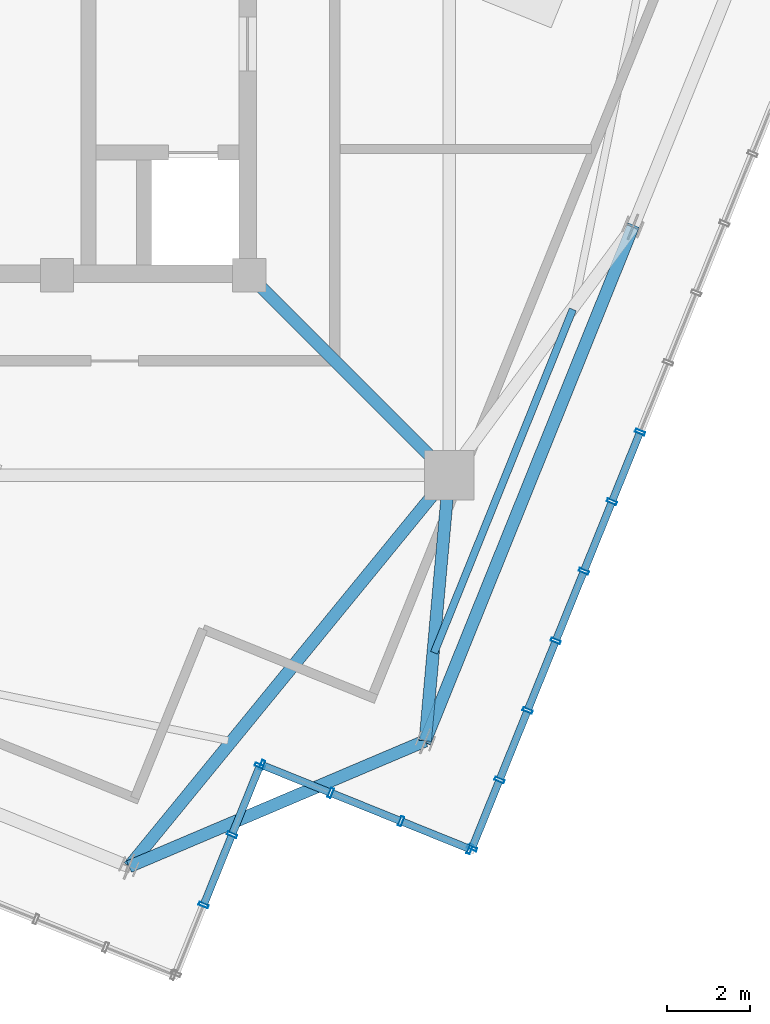
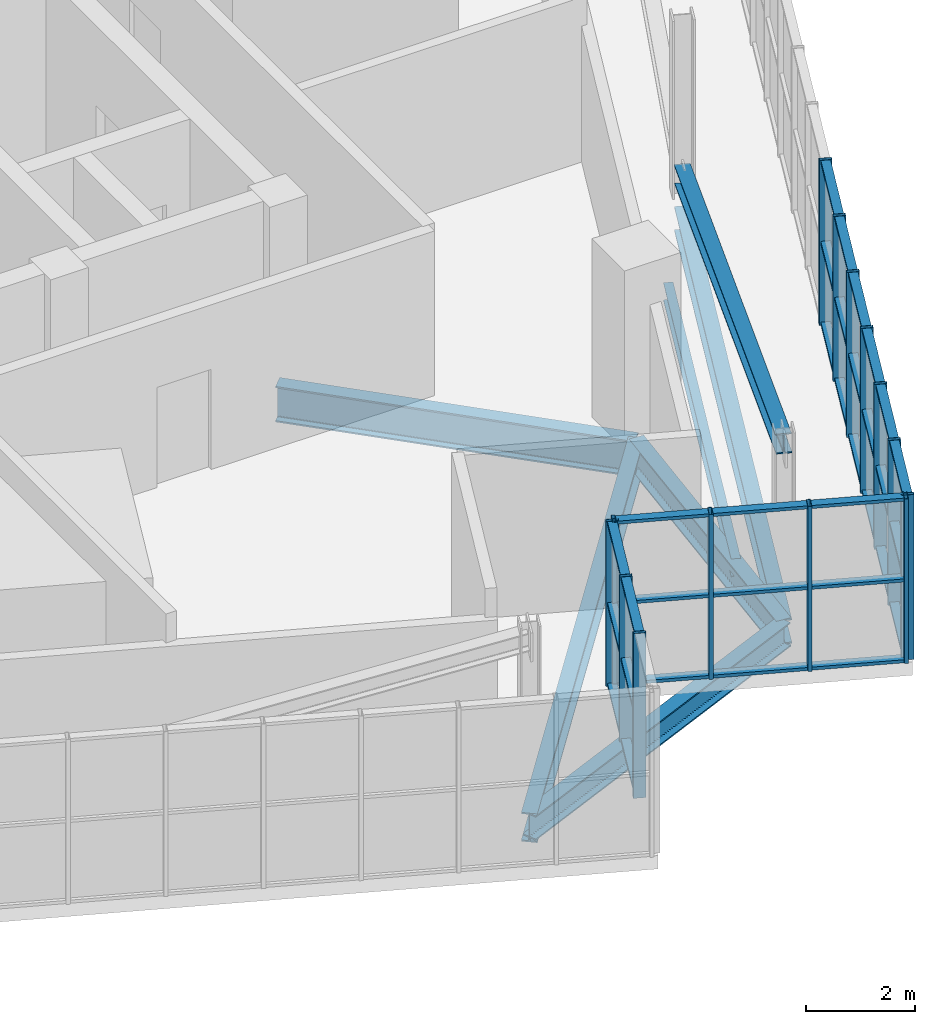
# One storey, part 8 of 26: 48 members, 6 beams, 3 elements without a shape of their own.
"""IFC4 building model written with IfcOpenShell, lengths in metres."""

from ifc_helpers import new_model, si_unit, direction, frame, origin, origin_2d, place, context, subcontext, project, spatial, hollow_rectangle, i_section, extrude, source, transform, mapped, material, layer, layer_set, material_profile, profile_set, type_object, element, aggregate, save


model = new_model("IFC4")

# Units and contexts
model_context = context("Model", 3, precision=1e-05, world=origin(), true_north=direction((0.0, 1.0)))
body_context = subcontext(model_context, "Body", "Model", "MODEL_VIEW")
ifc_project = project(units=[si_unit("LENGTHUNIT", "METRE"), si_unit("AREAUNIT", "SQUARE_METRE"), si_unit("VOLUMEUNIT", "CUBIC_METRE"), si_unit("PLANEANGLEUNIT", "RADIAN"), si_unit("MASSUNIT", "GRAM", prefix="KILO"), si_unit("THERMODYNAMICTEMPERATUREUNIT", "KELVIN")], contexts=[model_context])

# Site, building, storey
site_placement = place(None, origin())
site = spatial("IfcSite", under=ifc_project, at=site_placement, CompositionType="ELEMENT")
building_placement = place(site_placement, origin())
building = spatial("IfcBuilding", under=site, at=building_placement, Name="Kosmvard Interchange Tower", CompositionType="ELEMENT")
storey_placement = place(building_placement, frame((0.0, 0.0, 325.60009765625)))
storey = spatial("IfcBuildingStorey", under=building, at=storey_placement, Name="L80", CompositionType="ELEMENT", Elevation=325.60009765625)

# Beam
ifc_material_1 = material(Name="Steel S355", Category="steel")
ifc_material_profile_1 = material_profile(ifc_material_1, i_section(OverallWidth=0.300048828125, OverallDepth=0.800048828125, WebThickness=0.017578125, FlangeThickness=0.032958984375, FilletRadius=0.027099609375, at=origin_2d()), Name="HEB 800")
ifc_profile_set_1 = profile_set([ifc_material_profile_1], Name="Steel S355")
beam_type_1 = type_object("IfcBeamType", Name="Primary Mega-Frame Girder HEB 800 S355", PredefinedType="BEAM", material=ifc_profile_set_1)
shared_shape_1 = source(origin(), body_context, "Body", "SweptSolid", [
    extrude(i_section(OverallWidth=0.300048828125, OverallDepth=0.800048828125, WebThickness=0.017578125, FlangeThickness=0.032958984375, FilletRadius=0.027099609375, at=origin_2d()), origin(), (0.0, 0.0, 1.0), 6.83203125),
])
beam_1_placement = place(storey_placement, frame((8.25, -8.25, -0.7001953125), z_axis=(0.707106781187, -0.707106781187, 0.0), x_axis=(0.707106781187, 0.707106781187, 0.0)))
element("IfcBeam", 1, at=beam_1_placement, inside=storey, type_object=beam_type_1, Name="L80 Radial Mega-Frame Girder 2", PredefinedType="BEAM", context=body_context, shape_type="MappedRepresentation", body=[
    mapped(shared_shape_1, transform((0.0, 0.0, 0.0), scale=1.0)),
])

# Member
ifc_material_profile_2 = material_profile(ifc_material_1, i_section(OverallWidth=0.300048828125, OverallDepth=0.39990234375, WebThickness=0.013427734375, FlangeThickness=0.02392578125, FilletRadius=0.027099609375, at=origin_2d()), Name="HEB 400")
ifc_profile_set_2 = profile_set([ifc_material_profile_2], Name="Steel S355")
member_type_1 = type_object("IfcMemberType", Name="Lantern Crown Diagrid Brace HEB 400 S355", PredefinedType="BRACE", material=ifc_profile_set_2)
shared_shape_2 = source(origin(), body_context, "Body", "SweptSolid", [
    extrude(i_section(OverallWidth=0.300048828125, OverallDepth=0.39990234375, WebThickness=0.013427734375, FlangeThickness=0.02392578125, FilletRadius=0.027099609375, at=origin_2d()), origin(), (0.0, 0.0, 1.0), 13.78369140625),
])
member_1_placement = place(storey_placement, frame((17.523681640625, -7.080078125, 0.419921875), z_axis=(-0.364162635972, -0.901373372792, 0.234332279859), x_axis=(0.927189515839, -0.374592580972, 0.0)))
element("IfcMember", 2, at=member_1_placement, inside=storey, type_object=member_type_1, Name="L80 Crown Lantern Diagrid Brace S1", PredefinedType="BRACE", context=body_context, shape_type="MappedRepresentation", body=[
    mapped(shared_shape_2, transform((0.0, 0.0, 0.0), scale=1.0)),
])

# Beams
ifc_material_profile_3 = material_profile(ifc_material_1, i_section(OverallWidth=0.300048828125, OverallDepth=0.550048828125, WebThickness=0.014892578125, FlangeThickness=0.029052734375, FilletRadius=0.027099609375, at=origin_2d()), Name="HEB 550")
ifc_profile_set_3 = profile_set([ifc_material_profile_3], Name="Steel S355")
beam_type_2 = type_object("IfcBeamType", Name="Crown Ring Cap Girder HEB 550 S355", PredefinedType="BEAM", material=ifc_profile_set_3)
shared_shape_3 = source(origin(), body_context, "Body", "SweptSolid", [
    extrude(i_section(OverallWidth=0.300048828125, OverallDepth=0.550048828125, WebThickness=0.014892578125, FlangeThickness=0.029052734375, FilletRadius=0.027099609375, at=origin_2d()), origin(), (0.0, 0.0, 1.0), 13.39990234375),
])
beam_2_placement = place(storey_placement, frame((12.504150390625, -19.50439453125, -0.5751953125), z_axis=(0.374592580972, 0.927189515839, 0.0), x_axis=(-0.927189515839, 0.374592580972, 0.0)))
element("IfcBeam", 3, at=beam_2_placement, inside=storey, type_object=beam_type_2, Name="BM-L80-PR01", PredefinedType="BEAM", context=body_context, shape_type="MappedRepresentation", body=[
    mapped(shared_shape_3, transform((0.0, 0.0, 0.0), scale=1.0)),
])
ifc_material_profile_4 = material_profile(ifc_material_1, i_section(OverallWidth=0.300048828125, OverallDepth=0.64990234375, WebThickness=0.01611328125, FlangeThickness=0.031005859375, FilletRadius=0.027099609375, at=origin_2d()), Name="HEB 650")
ifc_profile_set_4 = profile_set([ifc_material_profile_4], Name="Steel S355")
beam_type_3 = type_object("IfcBeamType", Name="Primary Floor Girder HEB 650 S355", PredefinedType="BEAM", material=ifc_profile_set_4)
shared_shape_4 = source(origin(), body_context, "Body", "SweptSolid", [
    extrude(i_section(OverallWidth=0.300048828125, OverallDepth=0.64990234375, WebThickness=0.01611328125, FlangeThickness=0.031005859375, FilletRadius=0.027099609375, at=origin_2d()), origin(), (0.0, 0.0, 1.0), 6.44921875),
])
beam_3_placement = place(storey_placement, frame((13.0810546875, -13.0810546875, -0.625), z_axis=(-0.089453694068, -0.995990982197, 0.0), x_axis=(0.995990982197, -0.089453694068, 0.0)))
element("IfcBeam", 4, at=beam_3_placement, inside=storey, type_object=beam_type_3, Name="BM-L80-RD01", PredefinedType="BEAM", context=body_context, shape_type="MappedRepresentation", body=[
    mapped(shared_shape_4, transform((0.0, 0.0, 0.0), scale=1.0)),
])
shared_shape_5 = source(origin(), body_context, "Body", "SweptSolid", [
    extrude(i_section(OverallWidth=0.300048828125, OverallDepth=0.550048828125, WebThickness=0.014892578125, FlangeThickness=0.029052734375, FilletRadius=0.027099609375, at=origin_2d()), origin(), (0.0, 0.0, 1.0), 7.778076171875),
])
beam_4_placement = place(storey_placement, frame((5.34423828125, -22.54345703125, -0.5751953125), z_axis=(0.92051132134, 0.39071589075, 0.0), x_axis=(-0.39071589075, 0.92051132134, 0.0)))
element("IfcBeam", 5, at=beam_4_placement, inside=storey, type_object=beam_type_2, Name="BM-L80-PR12", PredefinedType="BEAM", context=body_context, shape_type="MappedRepresentation", body=[
    mapped(shared_shape_5, transform((0.0, 0.0, 0.0), scale=1.0)),
])
shared_shape_6 = source(origin(), body_context, "Body", "SweptSolid", [
    extrude(i_section(OverallWidth=0.300048828125, OverallDepth=0.64990234375, WebThickness=0.01611328125, FlangeThickness=0.031005859375, FilletRadius=0.027099609375, at=origin_2d()), origin(), (0.0, 0.0, 1.0), 12.22265625),
])
beam_5_placement = place(storey_placement, frame((13.0810546875, -13.0810546875, -0.625), z_axis=(-0.632985408079, -0.774163725034, 0.0), x_axis=(0.774163725034, -0.632985408079, 0.0)))
element("IfcBeam", 6, at=beam_5_placement, inside=storey, type_object=beam_type_3, Name="BM-L80-RD12", PredefinedType="BEAM", context=body_context, shape_type="MappedRepresentation", body=[
    mapped(shared_shape_6, transform((0.0, 0.0, 0.0), scale=1.0)),
])
ifc_material_profile_5 = material_profile(ifc_material_1, i_section(OverallWidth=0.179931640625, OverallDepth=0.39990234375, WebThickness=0.008544921875, FlangeThickness=0.013427734375, FilletRadius=0.02099609375, at=origin_2d()), Name="IPE 400")
ifc_profile_set_5 = profile_set([ifc_material_profile_5], Name="Steel S355")
beam_type_4 = type_object("IfcBeamType", Name="Upper-Zone Floor Joist IPE 400 S355", PredefinedType="JOIST", material=ifc_profile_set_5)
shared_shape_7 = source(origin(), body_context, "Body", "SweptSolid", [
    extrude(i_section(OverallWidth=0.179931640625, OverallDepth=0.39990234375, WebThickness=0.008544921875, FlangeThickness=0.013427734375, FilletRadius=0.02099609375, at=origin_2d()), origin(), (0.0, 0.0, 1.0), 8.9521484375),
])
beam_6_placement = place(storey_placement, frame((12.71875, -17.374755859375, -0.5), z_axis=(0.374581187736, 0.927194118723, 0.0), x_axis=(-0.927194118723, 0.374581187736, 0.0)))
element("IfcBeam", 7, at=beam_6_placement, inside=storey, type_object=beam_type_4, Name="BM-L80-FJ01", PredefinedType="JOIST", context=body_context, shape_type="MappedRepresentation", body=[
    mapped(shared_shape_7, transform((0.0, 0.0, 0.0), scale=1.0)),
])

# Curtain wall, members
ifc_material_2 = material(Name="Architectural anodised aluminium", Category="aluminium")
ifc_layer = layer(ifc_material_2, 0.25, Name="Architectural anodised aluminium")
ifc_layer_set = layer_set([ifc_layer], Name="Architectural anodised aluminium")
curtain_wall_type = type_object("IfcCurtainWallType", Name="CW-6 Illuminated Crown Lantern Curtain Wall", PredefinedType="NOTDEFINED", material=ifc_layer_set)
curtain_wall_1_placement = place(storey_placement, origin())
curtain_wall_1 = element("IfcCurtainWall", 8, at=curtain_wall_1_placement, inside=storey, type_object=curtain_wall_type, Name="L80 Crown Lantern Glazing Face 01", PredefinedType="NOTDEFINED")
ifc_material_profile_6 = material_profile(ifc_material_2, hollow_rectangle(XDim=0.239990234375, YDim=0.080078125, WallThickness=0.006103515625, at=origin_2d()), Name="CWM 240x80x6")
ifc_profile_set_6 = profile_set([ifc_material_profile_6], Name="Architectural anodised aluminium")
member_type_2 = type_object("IfcMemberType", Name="Lantern & Observation CW Mullion 240x80 Aluminium", PredefinedType="MULLION", material=ifc_profile_set_6)
shared_shape_8 = source(origin(), body_context, "Body", "SweptSolid", [
    extrude(hollow_rectangle(XDim=0.239990234375, YDim=0.080078125, WallThickness=0.006103515625, at=origin_2d()), origin(), (0.0, 0.0, 1.0), 3.699951171875),
])
member_2_placement = place(storey_placement, frame((13.63525390625, -22.096923828125, 0.0), z_axis=(0.0, 0.0, 1.0), x_axis=(-0.927183858065, 0.374606584758, 0.0)))
member_2 = element("IfcMember", 9, at=member_2_placement, type_object=member_type_2, Name="CW-6 mullion 1", PredefinedType="MULLION", context=body_context, shape_type="MappedRepresentation", body=[
    mapped(shared_shape_8, transform((0.0, 0.0, 0.0), scale=1.0)),
])
member_3_placement = place(storey_placement, frame((14.2998046875, -20.451904296875, 0.0), z_axis=(0.0, 0.0, 1.0), x_axis=(-0.927183858065, 0.374606584758, 0.0)))
member_3 = element("IfcMember", 10, at=member_3_placement, type_object=member_type_2, Name="CW-6 mullion 2", PredefinedType="MULLION", context=body_context, shape_type="MappedRepresentation", body=[
    mapped(shared_shape_8, transform((0.0, 0.0, 0.0), scale=1.0)),
])
member_4_placement = place(storey_placement, frame((14.9794921875, -18.77001953125, 0.0), z_axis=(0.0, 0.0, 1.0), x_axis=(-0.927183858065, 0.374606584758, 0.0)))
member_4 = element("IfcMember", 11, at=member_4_placement, type_object=member_type_2, Name="CW-6 mullion 3", PredefinedType="MULLION", context=body_context, shape_type="MappedRepresentation", body=[
    mapped(shared_shape_8, transform((0.0, 0.0, 0.0), scale=1.0)),
])
member_5_placement = place(storey_placement, frame((15.658935546875, -17.087890625, 0.0), z_axis=(0.0, 0.0, 1.0), x_axis=(-0.927183858065, 0.374606584758, 0.0)))
member_5 = element("IfcMember", 12, at=member_5_placement, type_object=member_type_2, Name="CW-6 mullion 4", PredefinedType="MULLION", context=body_context, shape_type="MappedRepresentation", body=[
    mapped(shared_shape_8, transform((0.0, 0.0, 0.0), scale=1.0)),
])
member_6_placement = place(storey_placement, frame((16.338623046875, -15.40576171875, 0.0), z_axis=(0.0, 0.0, 1.0), x_axis=(-0.927183858065, 0.374606584758, 0.0)))
member_6 = element("IfcMember", 13, at=member_6_placement, type_object=member_type_2, Name="CW-6 mullion 5", PredefinedType="MULLION", context=body_context, shape_type="MappedRepresentation", body=[
    mapped(shared_shape_8, transform((0.0, 0.0, 0.0), scale=1.0)),
])
member_7_placement = place(storey_placement, frame((17.01806640625, -13.723876953125, 0.0), z_axis=(0.0, 0.0, 1.0), x_axis=(-0.927183858065, 0.374606584758, 0.0)))
member_7 = element("IfcMember", 14, at=member_7_placement, type_object=member_type_2, Name="CW-6 mullion 6", PredefinedType="MULLION", context=body_context, shape_type="MappedRepresentation", body=[
    mapped(shared_shape_8, transform((0.0, 0.0, 0.0), scale=1.0)),
])
member_8_placement = place(storey_placement, frame((17.69775390625, -12.041748046875, 0.0), z_axis=(0.0, 0.0, 1.0), x_axis=(-0.927183858065, 0.374606584758, 0.0)))
member_8 = element("IfcMember", 15, at=member_8_placement, type_object=member_type_2, Name="CW-6 mullion 7", PredefinedType="MULLION", context=body_context, shape_type="MappedRepresentation", body=[
    mapped(shared_shape_8, transform((0.0, 0.0, 0.0), scale=1.0)),
])

curtain_wall_2_placement = place(storey_placement, origin())
curtain_wall_2 = element("IfcCurtainWall", 16, at=curtain_wall_2_placement, inside=storey, type_object=curtain_wall_type, Name="L80 Crown Lantern Glazing Face 11", PredefinedType="NOTDEFINED")
member_9_placement = place(storey_placement, frame((7.147216796875, -23.473388671875, 0.0), z_axis=(0.0, 0.0, 1.0), x_axis=(-0.92718386612, 0.374606564822, 0.0)))
member_9 = element("IfcMember", 17, at=member_9_placement, type_object=member_type_2, Name="CW-6 mullion 2", PredefinedType="MULLION", context=body_context, shape_type="MappedRepresentation", body=[
    mapped(shared_shape_8, transform((0.0, 0.0, 0.0), scale=1.0)),
])
member_10_placement = place(storey_placement, frame((7.833984375, -21.7734375, 0.0), z_axis=(0.0, 0.0, 1.0), x_axis=(-0.92718386612, 0.374606564822, 0.0)))
member_10 = element("IfcMember", 18, at=member_10_placement, type_object=member_type_2, Name="CW-6 mullion 3", PredefinedType="MULLION", context=body_context, shape_type="MappedRepresentation", body=[
    mapped(shared_shape_8, transform((0.0, 0.0, 0.0), scale=1.0)),
])
member_11_placement = place(storey_placement, frame((8.505859375, -20.110595703125, 0.0), z_axis=(0.0, 0.0, 1.0), x_axis=(-0.92718386612, 0.374606564822, 0.0)))
member_11 = element("IfcMember", 19, at=member_11_placement, type_object=member_type_2, Name="CW-6 mullion 4", PredefinedType="MULLION", context=body_context, shape_type="MappedRepresentation", body=[
    mapped(shared_shape_8, transform((0.0, 0.0, 0.0), scale=1.0)),
])

curtain_wall_3_placement = place(storey_placement, origin())
curtain_wall_3 = element("IfcCurtainWall", 20, at=curtain_wall_3_placement, inside=storey, type_object=curtain_wall_type, Name="L80 Crown Lantern Glazing Face 12", PredefinedType="NOTDEFINED")
member_12_placement = place(storey_placement, frame((8.557861328125, -20.088623046875, 0.0), z_axis=(0.0, 0.0, 1.0), x_axis=(0.374606501678, 0.927183891631, 0.0)))
member_12 = element("IfcMember", 21, at=member_12_placement, type_object=member_type_2, Name="CW-6 mullion 1", PredefinedType="MULLION", context=body_context, shape_type="MappedRepresentation", body=[
    mapped(shared_shape_8, transform((0.0, 0.0, 0.0), scale=1.0)),
])
member_13_placement = place(storey_placement, frame((10.220458984375, -20.760498046875, 0.0), z_axis=(0.0, 0.0, 1.0), x_axis=(0.374606501678, 0.927183891631, 0.0)))
member_13 = element("IfcMember", 22, at=member_13_placement, type_object=member_type_2, Name="CW-6 mullion 2", PredefinedType="MULLION", context=body_context, shape_type="MappedRepresentation", body=[
    mapped(shared_shape_8, transform((0.0, 0.0, 0.0), scale=1.0)),
])
member_14_placement = place(storey_placement, frame((11.92041015625, -21.447265625, 0.0), z_axis=(0.0, 0.0, 1.0), x_axis=(0.374606501678, 0.927183891631, 0.0)))
member_14 = element("IfcMember", 23, at=member_14_placement, type_object=member_type_2, Name="CW-6 mullion 3", PredefinedType="MULLION", context=body_context, shape_type="MappedRepresentation", body=[
    mapped(shared_shape_8, transform((0.0, 0.0, 0.0), scale=1.0)),
])
member_15_placement = place(storey_placement, frame((13.583251953125, -22.118896484375, 0.0), z_axis=(0.0, 0.0, 1.0), x_axis=(0.374606501678, 0.927183891631, 0.0)))
member_15 = element("IfcMember", 24, at=member_15_placement, type_object=member_type_2, Name="CW-6 mullion 4", PredefinedType="MULLION", context=body_context, shape_type="MappedRepresentation", body=[
    mapped(shared_shape_8, transform((0.0, 0.0, 0.0), scale=1.0)),
])

# Member
ifc_material_profile_7 = material_profile(ifc_material_2, hollow_rectangle(XDim=0.179931640625, YDim=0.070068359375, WallThickness=0.0048828125, at=origin_2d()), Name="CWT 180x70x5")
ifc_profile_set_7 = profile_set([ifc_material_profile_7], Name="Architectural anodised aluminium")
member_type_3 = type_object("IfcMemberType", Name="Heavy Lantern CW Transom 180x70 Aluminium", PredefinedType="USERDEFINED", material=ifc_profile_set_7)
shared_shape_9 = source(origin(), body_context, "Body", "SweptSolid", [
    extrude(hollow_rectangle(XDim=0.179931640625, YDim=0.070068359375, WallThickness=0.0048828125, at=origin_2d()), origin(), (0.0, 0.0, 1.0), 1.694091796875),
])
member_16_placement = place(storey_placement, frame((13.650146484375, -22.059814453125, 0.034912109375), z_axis=(0.374667946298, 0.927159064032, 0.0), x_axis=(-0.927159064032, 0.374667946298, 0.0)))
member_16 = element("IfcMember", 25, at=member_16_placement, type_object=member_type_3, Name="CW-6 transom 1.1", ObjectType="TRANSOM", PredefinedType="USERDEFINED", context=body_context, shape_type="MappedRepresentation", body=[
    mapped(shared_shape_9, transform((0.0, 0.0, 0.0), scale=1.0)),
])

member_17_placement = place(storey_placement, frame((13.650146484375, -22.059814453125, 1.849853515625), z_axis=(0.374667946298, 0.927159064032, 0.0), x_axis=(-0.927159064032, 0.374667946298, 0.0)))
member_17 = element("IfcMember", 26, at=member_17_placement, type_object=member_type_3, Name="CW-6 transom 1.2", ObjectType="TRANSOM", PredefinedType="USERDEFINED", context=body_context, shape_type="MappedRepresentation", body=[
    mapped(shared_shape_9, transform((0.0, 0.0, 0.0), scale=1.0)),
])

member_18_placement = place(storey_placement, frame((13.650146484375, -22.059814453125, 3.664794921875), z_axis=(0.374667946298, 0.927159064032, 0.0), x_axis=(-0.927159064032, 0.374667946298, 0.0)))
member_18 = element("IfcMember", 27, at=member_18_placement, type_object=member_type_3, Name="CW-6 transom 1.3", ObjectType="TRANSOM", PredefinedType="USERDEFINED", context=body_context, shape_type="MappedRepresentation", body=[
    mapped(shared_shape_9, transform((0.0, 0.0, 0.0), scale=1.0)),
])

shared_shape_10 = source(origin(), body_context, "Body", "SweptSolid", [
    extrude(hollow_rectangle(XDim=0.179931640625, YDim=0.070068359375, WallThickness=0.0048828125, at=origin_2d()), origin(), (0.0, 0.0, 1.0), 1.734130859375),
])
member_19_placement = place(storey_placement, frame((14.314697265625, -20.414794921875, 0.034912109375), z_axis=(0.374616671924, 0.927179782522, 0.0), x_axis=(-0.927179782522, 0.374616671924, 0.0)))
member_19 = element("IfcMember", 28, at=member_19_placement, type_object=member_type_3, Name="CW-6 transom 2.1", ObjectType="TRANSOM", PredefinedType="USERDEFINED", context=body_context, shape_type="MappedRepresentation", body=[
    mapped(shared_shape_10, transform((0.0, 0.0, 0.0), scale=1.0)),
])

member_20_placement = place(storey_placement, frame((14.314697265625, -20.414794921875, 1.849853515625), z_axis=(0.374616671924, 0.927179782522, 0.0), x_axis=(-0.927179782522, 0.374616671924, 0.0)))
member_20 = element("IfcMember", 29, at=member_20_placement, type_object=member_type_3, Name="CW-6 transom 2.2", ObjectType="TRANSOM", PredefinedType="USERDEFINED", context=body_context, shape_type="MappedRepresentation", body=[
    mapped(shared_shape_10, transform((0.0, 0.0, 0.0), scale=1.0)),
])

member_21_placement = place(storey_placement, frame((14.314697265625, -20.414794921875, 3.664794921875), z_axis=(0.374616671924, 0.927179782522, 0.0), x_axis=(-0.927179782522, 0.374616671924, 0.0)))
member_21 = element("IfcMember", 30, at=member_21_placement, type_object=member_type_3, Name="CW-6 transom 2.3", ObjectType="TRANSOM", PredefinedType="USERDEFINED", context=body_context, shape_type="MappedRepresentation", body=[
    mapped(shared_shape_10, transform((0.0, 0.0, 0.0), scale=1.0)),
])

member_22_placement = place(storey_placement, frame((14.994384765625, -18.73291015625, 0.034912109375), z_axis=(0.374616671924, 0.927179782522, 0.0), x_axis=(-0.927179782522, 0.374616671924, 0.0)))
member_22 = element("IfcMember", 31, at=member_22_placement, type_object=member_type_3, Name="CW-6 transom 3.1", ObjectType="TRANSOM", PredefinedType="USERDEFINED", context=body_context, shape_type="MappedRepresentation", body=[
    mapped(shared_shape_10, transform((0.0, 0.0, 0.0), scale=1.0)),
])

member_23_placement = place(storey_placement, frame((14.994384765625, -18.73291015625, 1.849853515625), z_axis=(0.374616671924, 0.927179782522, 0.0), x_axis=(-0.927179782522, 0.374616671924, 0.0)))
member_23 = element("IfcMember", 32, at=member_23_placement, type_object=member_type_3, Name="CW-6 transom 3.2", ObjectType="TRANSOM", PredefinedType="USERDEFINED", context=body_context, shape_type="MappedRepresentation", body=[
    mapped(shared_shape_10, transform((0.0, 0.0, 0.0), scale=1.0)),
])

member_24_placement = place(storey_placement, frame((14.994384765625, -18.73291015625, 3.664794921875), z_axis=(0.374616671924, 0.927179782522, 0.0), x_axis=(-0.927179782522, 0.374616671924, 0.0)))
member_24 = element("IfcMember", 33, at=member_24_placement, type_object=member_type_3, Name="CW-6 transom 3.3", ObjectType="TRANSOM", PredefinedType="USERDEFINED", context=body_context, shape_type="MappedRepresentation", body=[
    mapped(shared_shape_10, transform((0.0, 0.0, 0.0), scale=1.0)),
])

member_25_placement = place(storey_placement, frame((15.674072265625, -17.05078125, 0.034912109375), z_axis=(0.374495638732, 0.927228675447, 0.0), x_axis=(-0.927228675447, 0.374495638732, 0.0)))
member_25 = element("IfcMember", 34, at=member_25_placement, type_object=member_type_3, Name="CW-6 transom 4.1", ObjectType="TRANSOM", PredefinedType="USERDEFINED", context=body_context, shape_type="MappedRepresentation", body=[
    mapped(shared_shape_10, transform((0.0, 0.0, 0.0), scale=1.0)),
])

member_26_placement = place(storey_placement, frame((15.674072265625, -17.05078125, 1.849853515625), z_axis=(0.374495638732, 0.927228675447, 0.0), x_axis=(-0.927228675447, 0.374495638732, 0.0)))
member_26 = element("IfcMember", 35, at=member_26_placement, type_object=member_type_3, Name="CW-6 transom 4.2", ObjectType="TRANSOM", PredefinedType="USERDEFINED", context=body_context, shape_type="MappedRepresentation", body=[
    mapped(shared_shape_10, transform((0.0, 0.0, 0.0), scale=1.0)),
])

member_27_placement = place(storey_placement, frame((15.674072265625, -17.05078125, 3.664794921875), z_axis=(0.374495638732, 0.927228675447, 0.0), x_axis=(-0.927228675447, 0.374495638732, 0.0)))
member_27 = element("IfcMember", 36, at=member_27_placement, type_object=member_type_3, Name="CW-6 transom 4.3", ObjectType="TRANSOM", PredefinedType="USERDEFINED", context=body_context, shape_type="MappedRepresentation", body=[
    mapped(shared_shape_10, transform((0.0, 0.0, 0.0), scale=1.0)),
])

member_28_placement = place(storey_placement, frame((16.353515625, -15.368896484375, 0.034912109375), z_axis=(0.374616671924, 0.927179782522, 0.0), x_axis=(-0.927179782522, 0.374616671924, 0.0)))
member_28 = element("IfcMember", 37, at=member_28_placement, type_object=member_type_3, Name="CW-6 transom 5.1", ObjectType="TRANSOM", PredefinedType="USERDEFINED", context=body_context, shape_type="MappedRepresentation", body=[
    mapped(shared_shape_10, transform((0.0, 0.0, 0.0), scale=1.0)),
])

member_29_placement = place(storey_placement, frame((16.353515625, -15.368896484375, 1.849853515625), z_axis=(0.374616671924, 0.927179782522, 0.0), x_axis=(-0.927179782522, 0.374616671924, 0.0)))
member_29 = element("IfcMember", 38, at=member_29_placement, type_object=member_type_3, Name="CW-6 transom 5.2", ObjectType="TRANSOM", PredefinedType="USERDEFINED", context=body_context, shape_type="MappedRepresentation", body=[
    mapped(shared_shape_10, transform((0.0, 0.0, 0.0), scale=1.0)),
])

member_30_placement = place(storey_placement, frame((16.353515625, -15.368896484375, 3.664794921875), z_axis=(0.374616671924, 0.927179782522, 0.0), x_axis=(-0.927179782522, 0.374616671924, 0.0)))
member_30 = element("IfcMember", 39, at=member_30_placement, type_object=member_type_3, Name="CW-6 transom 5.3", ObjectType="TRANSOM", PredefinedType="USERDEFINED", context=body_context, shape_type="MappedRepresentation", body=[
    mapped(shared_shape_10, transform((0.0, 0.0, 0.0), scale=1.0)),
])

member_31_placement = place(storey_placement, frame((17.033203125, -13.686767578125, 0.034912109375), z_axis=(0.374616671924, 0.927179782522, 0.0), x_axis=(-0.927179782522, 0.374616671924, 0.0)))
member_31 = element("IfcMember", 40, at=member_31_placement, type_object=member_type_3, Name="CW-6 transom 6.1", ObjectType="TRANSOM", PredefinedType="USERDEFINED", context=body_context, shape_type="MappedRepresentation", body=[
    mapped(shared_shape_10, transform((0.0, 0.0, 0.0), scale=1.0)),
])

member_32_placement = place(storey_placement, frame((17.033203125, -13.686767578125, 1.849853515625), z_axis=(0.374616671924, 0.927179782522, 0.0), x_axis=(-0.927179782522, 0.374616671924, 0.0)))
member_32 = element("IfcMember", 41, at=member_32_placement, type_object=member_type_3, Name="CW-6 transom 6.2", ObjectType="TRANSOM", PredefinedType="USERDEFINED", context=body_context, shape_type="MappedRepresentation", body=[
    mapped(shared_shape_10, transform((0.0, 0.0, 0.0), scale=1.0)),
])

member_33_placement = place(storey_placement, frame((17.033203125, -13.686767578125, 3.664794921875), z_axis=(0.374616671924, 0.927179782522, 0.0), x_axis=(-0.927179782522, 0.374616671924, 0.0)))
member_33 = element("IfcMember", 42, at=member_33_placement, type_object=member_type_3, Name="CW-6 transom 6.3", ObjectType="TRANSOM", PredefinedType="USERDEFINED", context=body_context, shape_type="MappedRepresentation", body=[
    mapped(shared_shape_10, transform((0.0, 0.0, 0.0), scale=1.0)),
])

aggregate(curtain_wall_1, [member_2, member_3, member_4, member_5, member_6, member_7, member_8, member_16, member_17, member_18, member_19, member_20, member_21, member_22, member_23, member_24, member_25, member_26, member_27, member_28, member_29, member_30, member_31, member_32, member_33])

shared_shape_11 = source(origin(), body_context, "Body", "SweptSolid", [
    extrude(hollow_rectangle(XDim=0.179931640625, YDim=0.070068359375, WallThickness=0.0048828125, at=origin_2d()), origin(), (0.0, 0.0, 1.0), 1.71337890625),
])
member_34_placement = place(storey_placement, frame((7.848876953125, -21.736328125, 0.034912109375), z_axis=(0.374606758599, 0.927183787829, 0.0), x_axis=(-0.927183787829, 0.374606758599, 0.0)))
member_34 = element("IfcMember", 43, at=member_34_placement, type_object=member_type_3, Name="CW-6 transom 3.1", ObjectType="TRANSOM", PredefinedType="USERDEFINED", context=body_context, shape_type="MappedRepresentation", body=[
    mapped(shared_shape_11, transform((0.0, 0.0, 0.0), scale=1.0)),
])

member_35_placement = place(storey_placement, frame((7.848876953125, -21.736328125, 1.849853515625), z_axis=(0.374606758599, 0.927183787829, 0.0), x_axis=(-0.927183787829, 0.374606758599, 0.0)))
member_35 = element("IfcMember", 44, at=member_35_placement, type_object=member_type_3, Name="CW-6 transom 3.2", ObjectType="TRANSOM", PredefinedType="USERDEFINED", context=body_context, shape_type="MappedRepresentation", body=[
    mapped(shared_shape_11, transform((0.0, 0.0, 0.0), scale=1.0)),
])

member_36_placement = place(storey_placement, frame((7.848876953125, -21.736328125, 3.664794921875), z_axis=(0.374606758599, 0.927183787829, 0.0), x_axis=(-0.927183787829, 0.374606758599, 0.0)))
member_36 = element("IfcMember", 45, at=member_36_placement, type_object=member_type_3, Name="CW-6 transom 3.3", ObjectType="TRANSOM", PredefinedType="USERDEFINED", context=body_context, shape_type="MappedRepresentation", body=[
    mapped(shared_shape_11, transform((0.0, 0.0, 0.0), scale=1.0)),
])

member_37_placement = place(storey_placement, frame((8.594970703125, -20.103515625, 0.034912109375), z_axis=(0.927183787829, -0.374606758599, 0.0), x_axis=(0.374606758599, 0.927183787829, 0.0)))
member_37 = element("IfcMember", 46, at=member_37_placement, type_object=member_type_3, Name="CW-6 transom 1.1", ObjectType="TRANSOM", PredefinedType="USERDEFINED", context=body_context, shape_type="MappedRepresentation", body=[
    mapped(shared_shape_11, transform((0.0, 0.0, 0.0), scale=1.0)),
])

member_38_placement = place(storey_placement, frame((8.594970703125, -20.103515625, 1.849853515625), z_axis=(0.927183787829, -0.374606758599, 0.0), x_axis=(0.374606758599, 0.927183787829, 0.0)))
member_38 = element("IfcMember", 47, at=member_38_placement, type_object=member_type_3, Name="CW-6 transom 1.2", ObjectType="TRANSOM", PredefinedType="USERDEFINED", context=body_context, shape_type="MappedRepresentation", body=[
    mapped(shared_shape_11, transform((0.0, 0.0, 0.0), scale=1.0)),
])

member_39_placement = place(storey_placement, frame((8.594970703125, -20.103515625, 3.664794921875), z_axis=(0.927183787829, -0.374606758599, 0.0), x_axis=(0.374606758599, 0.927183787829, 0.0)))
member_39 = element("IfcMember", 48, at=member_39_placement, type_object=member_type_3, Name="CW-6 transom 1.3", ObjectType="TRANSOM", PredefinedType="USERDEFINED", context=body_context, shape_type="MappedRepresentation", body=[
    mapped(shared_shape_11, transform((0.0, 0.0, 0.0), scale=1.0)),
])

member_40_placement = place(storey_placement, frame((11.95751953125, -21.462158203125, 0.034912109375), z_axis=(0.927183787829, -0.374606758599, 0.0), x_axis=(0.374606758599, 0.927183787829, 0.0)))
member_40 = element("IfcMember", 49, at=member_40_placement, type_object=member_type_3, Name="CW-6 transom 3.1", ObjectType="TRANSOM", PredefinedType="USERDEFINED", context=body_context, shape_type="MappedRepresentation", body=[
    mapped(shared_shape_11, transform((0.0, 0.0, 0.0), scale=1.0)),
])

member_41_placement = place(storey_placement, frame((11.95751953125, -21.462158203125, 1.849853515625), z_axis=(0.927183787829, -0.374606758599, 0.0), x_axis=(0.374606758599, 0.927183787829, 0.0)))
member_41 = element("IfcMember", 50, at=member_41_placement, type_object=member_type_3, Name="CW-6 transom 3.2", ObjectType="TRANSOM", PredefinedType="USERDEFINED", context=body_context, shape_type="MappedRepresentation", body=[
    mapped(shared_shape_11, transform((0.0, 0.0, 0.0), scale=1.0)),
])

member_42_placement = place(storey_placement, frame((11.95751953125, -21.462158203125, 3.664794921875), z_axis=(0.927183787829, -0.374606758599, 0.0), x_axis=(0.374606758599, 0.927183787829, 0.0)))
member_42 = element("IfcMember", 51, at=member_42_placement, type_object=member_type_3, Name="CW-6 transom 3.3", ObjectType="TRANSOM", PredefinedType="USERDEFINED", context=body_context, shape_type="MappedRepresentation", body=[
    mapped(shared_shape_11, transform((0.0, 0.0, 0.0), scale=1.0)),
])

shared_shape_12 = source(origin(), body_context, "Body", "SweptSolid", [
    extrude(hollow_rectangle(XDim=0.179931640625, YDim=0.070068359375, WallThickness=0.0048828125, at=origin_2d()), origin(), (0.0, 0.0, 1.0), 1.75341796875),
])
member_43_placement = place(storey_placement, frame((7.162109375, -23.436279296875, 0.034912109375), z_axis=(0.374677135907, 0.927155350429, 0.0), x_axis=(-0.927155350429, 0.374677135907, 0.0)))
member_43 = element("IfcMember", 52, at=member_43_placement, type_object=member_type_3, Name="CW-6 transom 2.1", ObjectType="TRANSOM", PredefinedType="USERDEFINED", context=body_context, shape_type="MappedRepresentation", body=[
    mapped(shared_shape_12, transform((0.0, 0.0, 0.0), scale=1.0)),
])

member_44_placement = place(storey_placement, frame((7.162109375, -23.436279296875, 1.849853515625), z_axis=(0.374677135907, 0.927155350429, 0.0), x_axis=(-0.927155350429, 0.374677135907, 0.0)))
member_44 = element("IfcMember", 53, at=member_44_placement, type_object=member_type_3, Name="CW-6 transom 2.2", ObjectType="TRANSOM", PredefinedType="USERDEFINED", context=body_context, shape_type="MappedRepresentation", body=[
    mapped(shared_shape_12, transform((0.0, 0.0, 0.0), scale=1.0)),
])

member_45_placement = place(storey_placement, frame((7.162109375, -23.436279296875, 3.664794921875), z_axis=(0.374677135907, 0.927155350429, 0.0), x_axis=(-0.927155350429, 0.374677135907, 0.0)))
member_45 = element("IfcMember", 54, at=member_45_placement, type_object=member_type_3, Name="CW-6 transom 2.3", ObjectType="TRANSOM", PredefinedType="USERDEFINED", context=body_context, shape_type="MappedRepresentation", body=[
    mapped(shared_shape_12, transform((0.0, 0.0, 0.0), scale=1.0)),
])

aggregate(curtain_wall_2, [member_9, member_10, member_11, member_43, member_44, member_45, member_34, member_35, member_36])

member_46_placement = place(storey_placement, frame((10.257568359375, -20.775390625, 0.034912109375), z_axis=(0.927203712676, -0.37455743912, 0.0), x_axis=(0.37455743912, 0.927203712676, 0.0)))
member_46 = element("IfcMember", 55, at=member_46_placement, type_object=member_type_3, Name="CW-6 transom 2.1", ObjectType="TRANSOM", PredefinedType="USERDEFINED", context=body_context, shape_type="MappedRepresentation", body=[
    mapped(shared_shape_12, transform((0.0, 0.0, 0.0), scale=1.0)),
])

member_47_placement = place(storey_placement, frame((10.257568359375, -20.775390625, 1.849853515625), z_axis=(0.927203712676, -0.37455743912, 0.0), x_axis=(0.37455743912, 0.927203712676, 0.0)))
member_47 = element("IfcMember", 56, at=member_47_placement, type_object=member_type_3, Name="CW-6 transom 2.2", ObjectType="TRANSOM", PredefinedType="USERDEFINED", context=body_context, shape_type="MappedRepresentation", body=[
    mapped(shared_shape_12, transform((0.0, 0.0, 0.0), scale=1.0)),
])

member_48_placement = place(storey_placement, frame((10.257568359375, -20.775390625, 3.664794921875), z_axis=(0.927203712676, -0.37455743912, 0.0), x_axis=(0.37455743912, 0.927203712676, 0.0)))
member_48 = element("IfcMember", 57, at=member_48_placement, type_object=member_type_3, Name="CW-6 transom 2.3", ObjectType="TRANSOM", PredefinedType="USERDEFINED", context=body_context, shape_type="MappedRepresentation", body=[
    mapped(shared_shape_12, transform((0.0, 0.0, 0.0), scale=1.0)),
])

aggregate(curtain_wall_3, [member_12, member_13, member_14, member_15, member_37, member_38, member_39, member_46, member_47, member_48, member_40, member_41, member_42])

save(model, "model.ifc")
